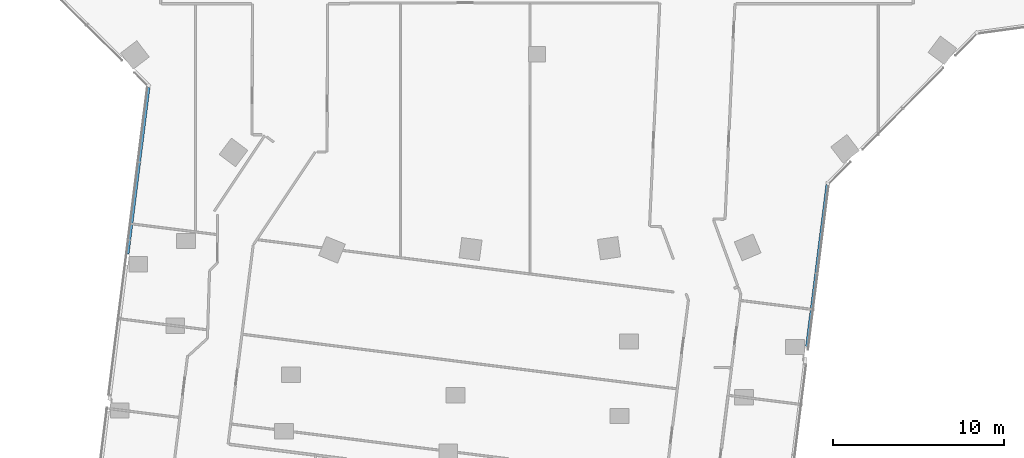
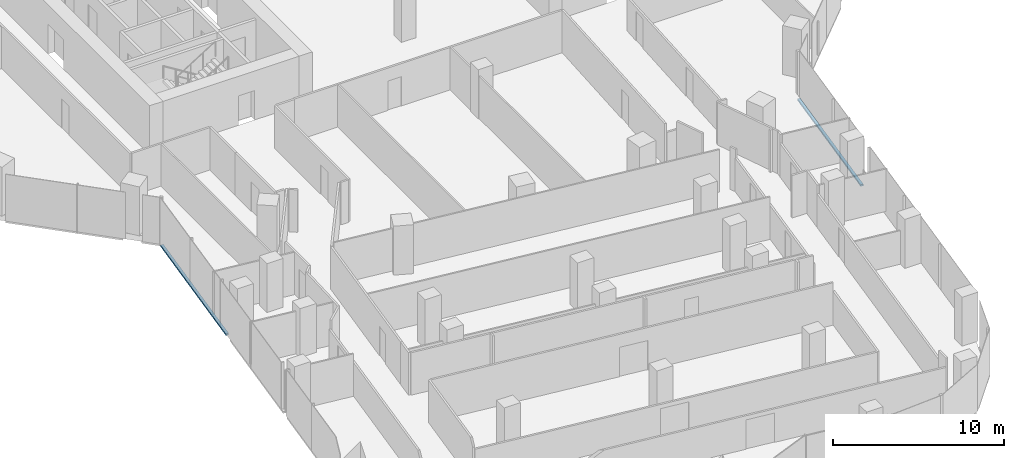
# One storey, part 5 of 27: 2 members, 2 elements without a shape of their own.
"""IFC4 building model written with IfcOpenShell, lengths in metres."""

from ifc_helpers import new_model, si_unit, direction, frame, origin, origin_2d, place, context, subcontext, project, spatial, rectangle, extrude, material, material_profile, profile_set, type_object, element, aggregate, save


model = new_model("IFC4")

# Units and contexts
model_context = context("Model", 3, precision=1e-05, world=origin(), true_north=direction((0.0, 1.0)))
body_context = subcontext(model_context, "Body", "Model", "MODEL_VIEW")
ifc_project = project(units=[si_unit("LENGTHUNIT", "METRE"), si_unit("AREAUNIT", "SQUARE_METRE"), si_unit("VOLUMEUNIT", "CUBIC_METRE"), si_unit("PLANEANGLEUNIT", "RADIAN"), si_unit("MASSUNIT", "GRAM", prefix="KILO")], contexts=[model_context])

# Site, building, storey
site_placement = place(None, origin())
site = spatial("IfcSite", under=ifc_project, at=site_placement, CompositionType="ELEMENT")
building_placement = place(site_placement, origin())
building = spatial("IfcBuilding", under=site, at=building_placement, Name="Orlundy Tower", CompositionType="ELEMENT")
storey_placement = place(building_placement, frame((0.0, 0.0, 199.10009765625)))
storey = spatial("IfcBuildingStorey", under=building, at=storey_placement, Name="L52", CompositionType="ELEMENT", Elevation=199.10009765625)

# Curtain wall, member
ifc_material_1 = material(Name="Aluminium bronze anodised", Category="aluminium")
curtain_wall_type = type_object("IfcCurtainWallType", Name="CW1 wall", PredefinedType="NOTDEFINED", material=ifc_material_1)
curtain_wall_1_placement = place(storey_placement, origin())
curtain_wall_1 = element("IfcCurtainWall", 1, at=curtain_wall_1_placement, inside=storey, type_object=curtain_wall_type, Name="CW1 run 00", PredefinedType="NOTDEFINED")
ifc_material_2 = material(Name="Aluminium bronze anodised", Category="aluminium")
ifc_material_profile = material_profile(ifc_material_2, rectangle(XDim=0.179931640625, YDim=0.1201171875, at=origin_2d()), Name="CW1 transom 180x120")
ifc_profile_set = profile_set([ifc_material_profile], Name="Aluminium bronze anodised")
member_type = type_object("IfcMemberType", Name="CW1 transom 180x120", PredefinedType="USERDEFINED", material=ifc_profile_set)
member_1_placement = place(storey_placement, frame((-23.98583984375, -29.721923828125, -0.360107421875), z_axis=(0.124763301609, 0.992186534162, 0.0), x_axis=(-0.992186534162, 0.124763301609, 0.0)))
member_1 = element("IfcMember", 2, at=member_1_placement, type_object=member_type, Name="CW1 transom", ObjectType="TRANSOM", PredefinedType="USERDEFINED", context=body_context, shape_type="SweptSolid", body=[
    extrude(rectangle(XDim=0.179931640625, YDim=0.1201171875, at=origin_2d()), origin(), (0.0, 0.0, 1.0), 9.8564453125),
])
aggregate(curtain_wall_1, [member_1])

curtain_wall_2_placement = place(storey_placement, origin())
curtain_wall_2 = element("IfcCurtainWall", 3, at=curtain_wall_2_placement, inside=storey, type_object=curtain_wall_type, Name="CW1 run 018", PredefinedType="NOTDEFINED")
member_2_placement = place(storey_placement, frame((17.021240234375, -25.660888671875, -0.360107421875), z_axis=(-0.124736970208, -0.99218984487, 0.0), x_axis=(0.99218984487, -0.124736970208, 0.0)))
member_2 = element("IfcMember", 4, at=member_2_placement, type_object=member_type, Name="CW1 transom", ObjectType="TRANSOM", PredefinedType="USERDEFINED", context=body_context, shape_type="SweptSolid", body=[
    extrude(rectangle(XDim=0.179931640625, YDim=0.1201171875, at=origin_2d()), origin(), (0.0, 0.0, 1.0), 9.54150390625),
])
aggregate(curtain_wall_2, [member_2])

save(model, "model.ifc")
